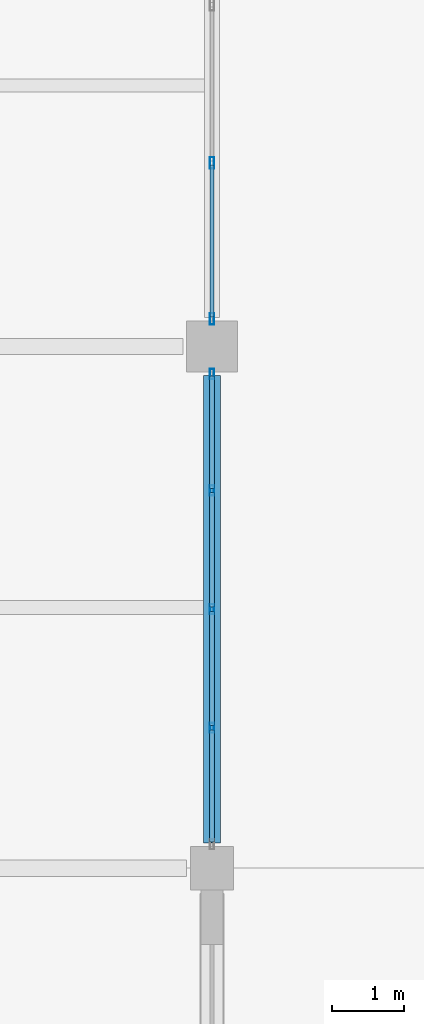
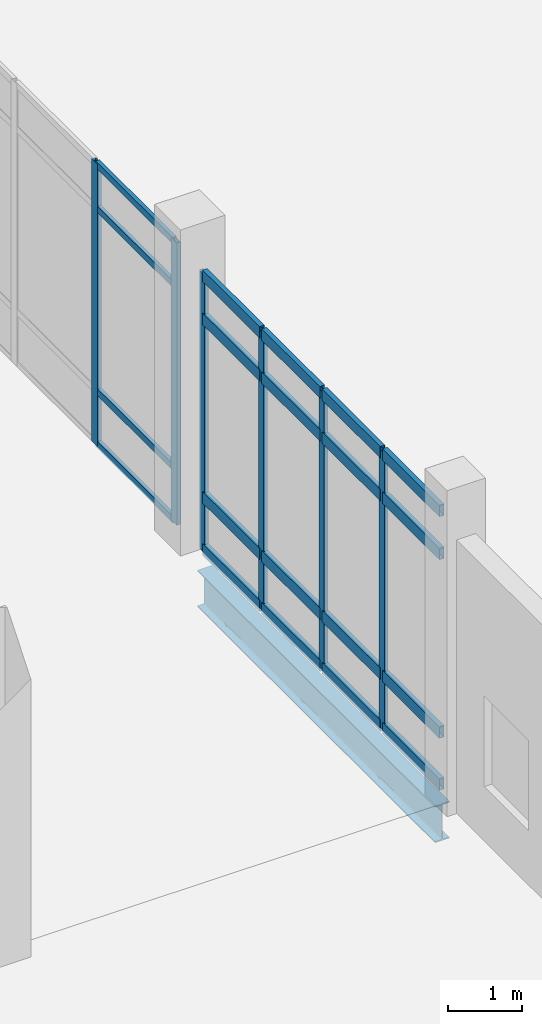
# One storey, part 75 of 229: 26 members, 1 beam, 2 elements without a shape of their own.
"""IFC4 building model written with IfcOpenShell, lengths in metres."""

from ifc_helpers import new_model, si_unit, direction, frame, origin, origin_2d, place, context, subcontext, project, spatial, hollow_rectangle, i_section, extrude, material, layer, layer_set, material_profile, profile_set, type_object, element, aggregate, save


model = new_model("IFC4")

# Units and contexts
model_context = context("Model", 3, precision=1e-05, world=origin(), true_north=direction((0.0, 1.0)))
body_context = subcontext(model_context, "Body", "Model", "MODEL_VIEW")
ifc_project = project(units=[si_unit("LENGTHUNIT", "METRE"), si_unit("AREAUNIT", "SQUARE_METRE"), si_unit("VOLUMEUNIT", "CUBIC_METRE"), si_unit("PLANEANGLEUNIT", "RADIAN"), si_unit("MASSUNIT", "GRAM", prefix="KILO")], contexts=[model_context])

# Site, building, storey
site_placement = place(None, origin())
site = spatial("IfcSite", under=ifc_project, at=site_placement, CompositionType="ELEMENT")
building_placement = place(site_placement, origin())
building = spatial("IfcBuilding", under=site, at=building_placement, Name="Calvrana Isthmian Art Gallery", CompositionType="ELEMENT")
storey_placement = place(building_placement, origin())
storey = spatial("IfcBuildingStorey", under=building, at=storey_placement, Name="L00", CompositionType="ELEMENT", Elevation=0.0)

# Beam
ifc_material_1 = material(Name="Steel ASTM A992 Gr 50", Category="steel")
ifc_material_profile_1 = material_profile(ifc_material_1, i_section(OverallWidth=0.22802734375, OverallDepth=0.60693359375, WebThickness=0.01123046875, FlangeThickness=0.017333984375, FilletRadius=0.02197265625, at=origin_2d()), Name="W24X76")
ifc_profile_set_1 = profile_set([ifc_material_profile_1], Name="Steel ASTM A992 Gr 50")
beam_type = type_object("IfcBeamType", Name="BM-G-W24X76", PredefinedType="BEAM", material=ifc_profile_set_1)
beam_placement = place(storey_placement, frame((14.39990234375, 77.14990234375, -0.58837890625), z_axis=(0.0, 1.0, 0.0), x_axis=(-1.0, 0.0, 0.0)))
element("IfcBeam", 1, at=beam_placement, inside=storey, type_object=beam_type, Name="Girder Y L00 03/K-L", PredefinedType="BEAM", context=body_context, shape_type="SweptSolid", body=[
    extrude(i_section(OverallWidth=0.22802734375, OverallDepth=0.60693359375, WebThickness=0.01123046875, FlangeThickness=0.017333984375, FilletRadius=0.02197265625, at=origin_2d()), origin(), (0.0, 0.0, 1.0), 6.4501953125),
])

# Curtain wall, members
ifc_material_2 = material(Name="Anodized bronze aluminium 6063-T6", Category="aluminium")
ifc_layer_1 = layer(ifc_material_2, 0.179931640625, Name="Anodized bronze aluminium 6063-T6")
ifc_layer_set_1 = layer_set([ifc_layer_1], Name="Anodized bronze aluminium 6063-T6")
curtain_wall_type_1 = type_object("IfcCurtainWallType", Name="CW-UNIT-066X46", PredefinedType="USERDEFINED", material=ifc_layer_set_1)
curtain_wall_1_placement = place(storey_placement, origin())
curtain_wall_1 = element("IfcCurtainWall", 2, at=curtain_wall_1_placement, inside=storey, type_object=curtain_wall_type_1, Name="Curtain wall CW-054", ObjectType="UNITISED CURTAIN WALL", PredefinedType="USERDEFINED")
ifc_material_profile_2 = material_profile(ifc_material_2, hollow_rectangle(XDim=0.06005859375, YDim=0.139892578125, WallThickness=0.00390625, at=origin_2d()), Name="CWM60X140")
ifc_profile_set_2 = profile_set([ifc_material_profile_2], Name="Anodized bronze aluminium 6063-T6")
member_type_1 = type_object("IfcMemberType", Name="CWM-CWM60X140", PredefinedType="MULLION", material=ifc_profile_set_2)
member_1_placement = place(storey_placement, frame((14.39990234375, 83.6201171875, 0.0), z_axis=(0.0, 0.0, 1.0), x_axis=(1.0, 0.0, 0.0)))
member_1 = element("IfcMember", 3, at=member_1_placement, type_object=member_type_1, Name="CW-054 mullion 1", PredefinedType="MULLION", context=body_context, shape_type="SweptSolid", body=[
    extrude(hollow_rectangle(XDim=0.06005859375, YDim=0.139892578125, WallThickness=0.00390625, at=origin_2d()), origin(), (0.0, 0.0, 1.0), 4.60693359375),
])
member_2_placement = place(storey_placement, frame((14.39990234375, 82.012451171875, 0.0), z_axis=(0.0, 0.0, 1.0), x_axis=(1.0, 0.0, 0.0)))
member_2 = element("IfcMember", 4, at=member_2_placement, type_object=member_type_1, Name="CW-054 mullion 2", PredefinedType="MULLION", context=body_context, shape_type="SweptSolid", body=[
    extrude(hollow_rectangle(XDim=0.06005859375, YDim=0.139892578125, WallThickness=0.00390625, at=origin_2d()), origin(), (0.0, 0.0, 1.0), 4.60693359375),
])
member_3_placement = place(storey_placement, frame((14.39990234375, 80.375, 0.0), z_axis=(0.0, 0.0, 1.0), x_axis=(1.0, 0.0, 0.0)))
member_3 = element("IfcMember", 5, at=member_3_placement, type_object=member_type_1, Name="CW-054 mullion 3", PredefinedType="MULLION", context=body_context, shape_type="SweptSolid", body=[
    extrude(hollow_rectangle(XDim=0.06005859375, YDim=0.139892578125, WallThickness=0.00390625, at=origin_2d()), origin(), (0.0, 0.0, 1.0), 4.60693359375),
])
member_4_placement = place(storey_placement, frame((14.39990234375, 78.737548828125, 0.0), z_axis=(0.0, 0.0, 1.0), x_axis=(1.0, 0.0, 0.0)))
member_4 = element("IfcMember", 6, at=member_4_placement, type_object=member_type_1, Name="CW-054 mullion 4", PredefinedType="MULLION", context=body_context, shape_type="SweptSolid", body=[
    extrude(hollow_rectangle(XDim=0.06005859375, YDim=0.139892578125, WallThickness=0.00390625, at=origin_2d()), origin(), (0.0, 0.0, 1.0), 4.60693359375),
])

ifc_layer_2 = layer(ifc_material_2, 0.179931640625, Name="Anodized bronze aluminium 6063-T6")
ifc_layer_set_2 = layer_set([ifc_layer_2], Name="Anodized bronze aluminium 6063-T6")
curtain_wall_type_2 = type_object("IfcCurtainWallType", Name="CW-STICK-066X47", PredefinedType="NOTDEFINED", material=ifc_layer_set_2)
curtain_wall_2_placement = place(storey_placement, origin())
curtain_wall_2 = element("IfcCurtainWall", 7, at=curtain_wall_2_placement, inside=storey, type_object=curtain_wall_type_2, Name="Curtain wall CW-055", PredefinedType="NOTDEFINED")
ifc_material_profile_3 = material_profile(ifc_material_2, hollow_rectangle(XDim=0.06005859375, YDim=0.159912109375, WallThickness=0.00390625, at=origin_2d()), Name="CWM60X160")
ifc_profile_set_3 = profile_set([ifc_material_profile_3], Name="Anodized bronze aluminium 6063-T6")
member_type_2 = type_object("IfcMemberType", Name="CWM-CWM60X160", PredefinedType="MULLION", material=ifc_profile_set_3)
member_5_placement = place(storey_placement, frame((14.39990234375, 86.533447265625, 0.0), z_axis=(0.0, 0.0, 1.0), x_axis=(1.0, 0.0, 0.0)))
member_5 = element("IfcMember", 8, at=member_5_placement, type_object=member_type_2, Name="CW-055 mullion 3", PredefinedType="MULLION", context=body_context, shape_type="SweptSolid", body=[
    extrude(hollow_rectangle(XDim=0.06005859375, YDim=0.159912109375, WallThickness=0.00390625, at=origin_2d()), origin(), (0.0, 0.0, 1.0), 4.677978515625),
])
member_6_placement = place(storey_placement, frame((14.39990234375, 84.3798828125, 0.0), z_axis=(0.0, 0.0, 1.0), x_axis=(1.0, 0.0, 0.0)))
member_6 = element("IfcMember", 9, at=member_6_placement, type_object=member_type_2, Name="CW-055 mullion 4", PredefinedType="MULLION", context=body_context, shape_type="SweptSolid", body=[
    extrude(hollow_rectangle(XDim=0.06005859375, YDim=0.159912109375, WallThickness=0.00390625, at=origin_2d()), origin(), (0.0, 0.0, 1.0), 4.677978515625),
])
ifc_material_profile_4 = material_profile(ifc_material_2, hollow_rectangle(XDim=0.06005859375, YDim=0.110107421875, WallThickness=0.00341796875, at=origin_2d()), Name="CWT60X110")
ifc_profile_set_4 = profile_set([ifc_material_profile_4], Name="Anodized bronze aluminium 6063-T6")
member_type_3 = type_object("IfcMemberType", Name="CWT-CWT60X110", PredefinedType="USERDEFINED", material=ifc_profile_set_4)
member_7_placement = place(storey_placement, frame((14.39990234375, 86.50341796875, 0.030029296875), z_axis=(0.0, -1.0, 0.0), x_axis=(1.0, 0.0, 0.0)))
member_7 = element("IfcMember", 10, at=member_7_placement, type_object=member_type_3, Name="CW-055 transom 3.1", ObjectType="TRANSOM", PredefinedType="USERDEFINED", context=body_context, shape_type="SweptSolid", body=[
    extrude(hollow_rectangle(XDim=0.06005859375, YDim=0.110107421875, WallThickness=0.00341796875, at=origin_2d()), origin(), (0.0, 0.0, 1.0), 2.093505859375),
])
member_8_placement = place(storey_placement, frame((14.39990234375, 86.50341796875, 0.89990234375), z_axis=(0.0, -1.0, 0.0), x_axis=(1.0, 0.0, 0.0)))
member_8 = element("IfcMember", 11, at=member_8_placement, type_object=member_type_3, Name="CW-055 transom 3.2", ObjectType="TRANSOM", PredefinedType="USERDEFINED", context=body_context, shape_type="SweptSolid", body=[
    extrude(hollow_rectangle(XDim=0.06005859375, YDim=0.110107421875, WallThickness=0.00341796875, at=origin_2d()), origin(), (0.0, 0.0, 1.0), 2.093505859375),
])
member_9_placement = place(storey_placement, frame((14.39990234375, 86.50341796875, 3.927978515625), z_axis=(0.0, -1.0, 0.0), x_axis=(1.0, 0.0, 0.0)))
member_9 = element("IfcMember", 12, at=member_9_placement, type_object=member_type_3, Name="CW-055 transom 3.3", ObjectType="TRANSOM", PredefinedType="USERDEFINED", context=body_context, shape_type="SweptSolid", body=[
    extrude(hollow_rectangle(XDim=0.06005859375, YDim=0.110107421875, WallThickness=0.00341796875, at=origin_2d()), origin(), (0.0, 0.0, 1.0), 2.093505859375),
])
member_10_placement = place(storey_placement, frame((14.39990234375, 86.50341796875, 4.64794921875), z_axis=(0.0, -1.0, 0.0), x_axis=(1.0, 0.0, 0.0)))
member_10 = element("IfcMember", 13, at=member_10_placement, type_object=member_type_3, Name="CW-055 transom 3.4", ObjectType="TRANSOM", PredefinedType="USERDEFINED", context=body_context, shape_type="SweptSolid", body=[
    extrude(hollow_rectangle(XDim=0.06005859375, YDim=0.110107421875, WallThickness=0.00341796875, at=origin_2d()), origin(), (0.0, 0.0, 1.0), 2.093505859375),
])
aggregate(curtain_wall_2, [member_5, member_6, member_7, member_8, member_9, member_10])

# Member
ifc_material_profile_5 = material_profile(ifc_material_2, hollow_rectangle(XDim=0.074951171875, YDim=0.18994140625, WallThickness=0.00439453125, at=origin_2d()), Name="CWT75X190")
ifc_profile_set_5 = profile_set([ifc_material_profile_5], Name="Anodized bronze aluminium 6063-T6")
member_type_4 = type_object("IfcMemberType", Name="CWT-CWT75X190", PredefinedType="USERDEFINED", material=ifc_profile_set_5)
member_11_placement = place(storey_placement, frame((14.39990234375, 83.590087890625, 0.03759765625), z_axis=(0.0, -1.0, 0.0), x_axis=(1.0, 0.0, 0.0)))
member_11 = element("IfcMember", 14, at=member_11_placement, type_object=member_type_4, Name="CW-054 transom 1.1", ObjectType="TRANSOM", PredefinedType="USERDEFINED", context=body_context, shape_type="SweptSolid", body=[
    extrude(hollow_rectangle(XDim=0.074951171875, YDim=0.18994140625, WallThickness=0.00439453125, at=origin_2d()), origin(), (0.0, 0.0, 1.0), 1.547607421875),
])

member_12_placement = place(storey_placement, frame((14.39990234375, 83.590087890625, 0.89990234375), z_axis=(0.0, -1.0, 0.0), x_axis=(1.0, 0.0, 0.0)))
member_12 = element("IfcMember", 15, at=member_12_placement, type_object=member_type_4, Name="CW-054 transom 1.2", ObjectType="TRANSOM", PredefinedType="USERDEFINED", context=body_context, shape_type="SweptSolid", body=[
    extrude(hollow_rectangle(XDim=0.074951171875, YDim=0.18994140625, WallThickness=0.00439453125, at=origin_2d()), origin(), (0.0, 0.0, 1.0), 1.547607421875),
])

member_13_placement = place(storey_placement, frame((14.39990234375, 83.590087890625, 3.85693359375), z_axis=(0.0, -1.0, 0.0), x_axis=(1.0, 0.0, 0.0)))
member_13 = element("IfcMember", 16, at=member_13_placement, type_object=member_type_4, Name="CW-054 transom 1.3", ObjectType="TRANSOM", PredefinedType="USERDEFINED", context=body_context, shape_type="SweptSolid", body=[
    extrude(hollow_rectangle(XDim=0.074951171875, YDim=0.18994140625, WallThickness=0.00439453125, at=origin_2d()), origin(), (0.0, 0.0, 1.0), 1.547607421875),
])

member_14_placement = place(storey_placement, frame((14.39990234375, 83.590087890625, 4.569580078125), z_axis=(0.0, -1.0, 0.0), x_axis=(1.0, 0.0, 0.0)))
member_14 = element("IfcMember", 17, at=member_14_placement, type_object=member_type_4, Name="CW-054 transom 1.4", ObjectType="TRANSOM", PredefinedType="USERDEFINED", context=body_context, shape_type="SweptSolid", body=[
    extrude(hollow_rectangle(XDim=0.074951171875, YDim=0.18994140625, WallThickness=0.00439453125, at=origin_2d()), origin(), (0.0, 0.0, 1.0), 1.547607421875),
])

member_15_placement = place(storey_placement, frame((14.39990234375, 81.982421875, 0.03759765625), z_axis=(0.0, -1.0, 0.0), x_axis=(1.0, 0.0, 0.0)))
member_15 = element("IfcMember", 18, at=member_15_placement, type_object=member_type_4, Name="CW-054 transom 2.1", ObjectType="TRANSOM", PredefinedType="USERDEFINED", context=body_context, shape_type="SweptSolid", body=[
    extrude(hollow_rectangle(XDim=0.074951171875, YDim=0.18994140625, WallThickness=0.00439453125, at=origin_2d()), origin(), (0.0, 0.0, 1.0), 1.577392578125),
])

member_16_placement = place(storey_placement, frame((14.39990234375, 81.982421875, 0.89990234375), z_axis=(0.0, -1.0, 0.0), x_axis=(1.0, 0.0, 0.0)))
member_16 = element("IfcMember", 19, at=member_16_placement, type_object=member_type_4, Name="CW-054 transom 2.2", ObjectType="TRANSOM", PredefinedType="USERDEFINED", context=body_context, shape_type="SweptSolid", body=[
    extrude(hollow_rectangle(XDim=0.074951171875, YDim=0.18994140625, WallThickness=0.00439453125, at=origin_2d()), origin(), (0.0, 0.0, 1.0), 1.577392578125),
])

member_17_placement = place(storey_placement, frame((14.39990234375, 81.982421875, 3.85693359375), z_axis=(0.0, -1.0, 0.0), x_axis=(1.0, 0.0, 0.0)))
member_17 = element("IfcMember", 20, at=member_17_placement, type_object=member_type_4, Name="CW-054 transom 2.3", ObjectType="TRANSOM", PredefinedType="USERDEFINED", context=body_context, shape_type="SweptSolid", body=[
    extrude(hollow_rectangle(XDim=0.074951171875, YDim=0.18994140625, WallThickness=0.00439453125, at=origin_2d()), origin(), (0.0, 0.0, 1.0), 1.577392578125),
])

member_18_placement = place(storey_placement, frame((14.39990234375, 81.982421875, 4.569580078125), z_axis=(0.0, -1.0, 0.0), x_axis=(1.0, 0.0, 0.0)))
member_18 = element("IfcMember", 21, at=member_18_placement, type_object=member_type_4, Name="CW-054 transom 2.4", ObjectType="TRANSOM", PredefinedType="USERDEFINED", context=body_context, shape_type="SweptSolid", body=[
    extrude(hollow_rectangle(XDim=0.074951171875, YDim=0.18994140625, WallThickness=0.00439453125, at=origin_2d()), origin(), (0.0, 0.0, 1.0), 1.577392578125),
])

member_19_placement = place(storey_placement, frame((14.39990234375, 80.344970703125, 0.03759765625), z_axis=(0.0, -1.0, 0.0), x_axis=(1.0, 0.0, 0.0)))
member_19 = element("IfcMember", 22, at=member_19_placement, type_object=member_type_4, Name="CW-054 transom 3.1", ObjectType="TRANSOM", PredefinedType="USERDEFINED", context=body_context, shape_type="SweptSolid", body=[
    extrude(hollow_rectangle(XDim=0.074951171875, YDim=0.18994140625, WallThickness=0.00439453125, at=origin_2d()), origin(), (0.0, 0.0, 1.0), 1.577392578125),
])

member_20_placement = place(storey_placement, frame((14.39990234375, 80.344970703125, 0.89990234375), z_axis=(0.0, -1.0, 0.0), x_axis=(1.0, 0.0, 0.0)))
member_20 = element("IfcMember", 23, at=member_20_placement, type_object=member_type_4, Name="CW-054 transom 3.2", ObjectType="TRANSOM", PredefinedType="USERDEFINED", context=body_context, shape_type="SweptSolid", body=[
    extrude(hollow_rectangle(XDim=0.074951171875, YDim=0.18994140625, WallThickness=0.00439453125, at=origin_2d()), origin(), (0.0, 0.0, 1.0), 1.577392578125),
])

member_21_placement = place(storey_placement, frame((14.39990234375, 80.344970703125, 3.85693359375), z_axis=(0.0, -1.0, 0.0), x_axis=(1.0, 0.0, 0.0)))
member_21 = element("IfcMember", 24, at=member_21_placement, type_object=member_type_4, Name="CW-054 transom 3.3", ObjectType="TRANSOM", PredefinedType="USERDEFINED", context=body_context, shape_type="SweptSolid", body=[
    extrude(hollow_rectangle(XDim=0.074951171875, YDim=0.18994140625, WallThickness=0.00439453125, at=origin_2d()), origin(), (0.0, 0.0, 1.0), 1.577392578125),
])

member_22_placement = place(storey_placement, frame((14.39990234375, 80.344970703125, 4.569580078125), z_axis=(0.0, -1.0, 0.0), x_axis=(1.0, 0.0, 0.0)))
member_22 = element("IfcMember", 25, at=member_22_placement, type_object=member_type_4, Name="CW-054 transom 3.4", ObjectType="TRANSOM", PredefinedType="USERDEFINED", context=body_context, shape_type="SweptSolid", body=[
    extrude(hollow_rectangle(XDim=0.074951171875, YDim=0.18994140625, WallThickness=0.00439453125, at=origin_2d()), origin(), (0.0, 0.0, 1.0), 1.577392578125),
])

member_23_placement = place(storey_placement, frame((14.39990234375, 78.70751953125, 0.03759765625), z_axis=(0.0, -1.0, 0.0), x_axis=(1.0, 0.0, 0.0)))
member_23 = element("IfcMember", 26, at=member_23_placement, type_object=member_type_4, Name="CW-054 transom 4.1", ObjectType="TRANSOM", PredefinedType="USERDEFINED", context=body_context, shape_type="SweptSolid", body=[
    extrude(hollow_rectangle(XDim=0.074951171875, YDim=0.18994140625, WallThickness=0.00439453125, at=origin_2d()), origin(), (0.0, 0.0, 1.0), 1.547607421875),
])

member_24_placement = place(storey_placement, frame((14.39990234375, 78.70751953125, 0.89990234375), z_axis=(0.0, -1.0, 0.0), x_axis=(1.0, 0.0, 0.0)))
member_24 = element("IfcMember", 27, at=member_24_placement, type_object=member_type_4, Name="CW-054 transom 4.2", ObjectType="TRANSOM", PredefinedType="USERDEFINED", context=body_context, shape_type="SweptSolid", body=[
    extrude(hollow_rectangle(XDim=0.074951171875, YDim=0.18994140625, WallThickness=0.00439453125, at=origin_2d()), origin(), (0.0, 0.0, 1.0), 1.547607421875),
])

member_25_placement = place(storey_placement, frame((14.39990234375, 78.70751953125, 3.85693359375), z_axis=(0.0, -1.0, 0.0), x_axis=(1.0, 0.0, 0.0)))
member_25 = element("IfcMember", 28, at=member_25_placement, type_object=member_type_4, Name="CW-054 transom 4.3", ObjectType="TRANSOM", PredefinedType="USERDEFINED", context=body_context, shape_type="SweptSolid", body=[
    extrude(hollow_rectangle(XDim=0.074951171875, YDim=0.18994140625, WallThickness=0.00439453125, at=origin_2d()), origin(), (0.0, 0.0, 1.0), 1.547607421875),
])

member_26_placement = place(storey_placement, frame((14.39990234375, 78.70751953125, 4.569580078125), z_axis=(0.0, -1.0, 0.0), x_axis=(1.0, 0.0, 0.0)))
member_26 = element("IfcMember", 29, at=member_26_placement, type_object=member_type_4, Name="CW-054 transom 4.4", ObjectType="TRANSOM", PredefinedType="USERDEFINED", context=body_context, shape_type="SweptSolid", body=[
    extrude(hollow_rectangle(XDim=0.074951171875, YDim=0.18994140625, WallThickness=0.00439453125, at=origin_2d()), origin(), (0.0, 0.0, 1.0), 1.547607421875),
])

aggregate(curtain_wall_1, [member_1, member_2, member_3, member_4, member_11, member_12, member_13, member_14, member_15, member_16, member_17, member_18, member_19, member_20, member_21, member_22, member_23, member_24, member_25, member_26])

save(model, "model.ifc")
